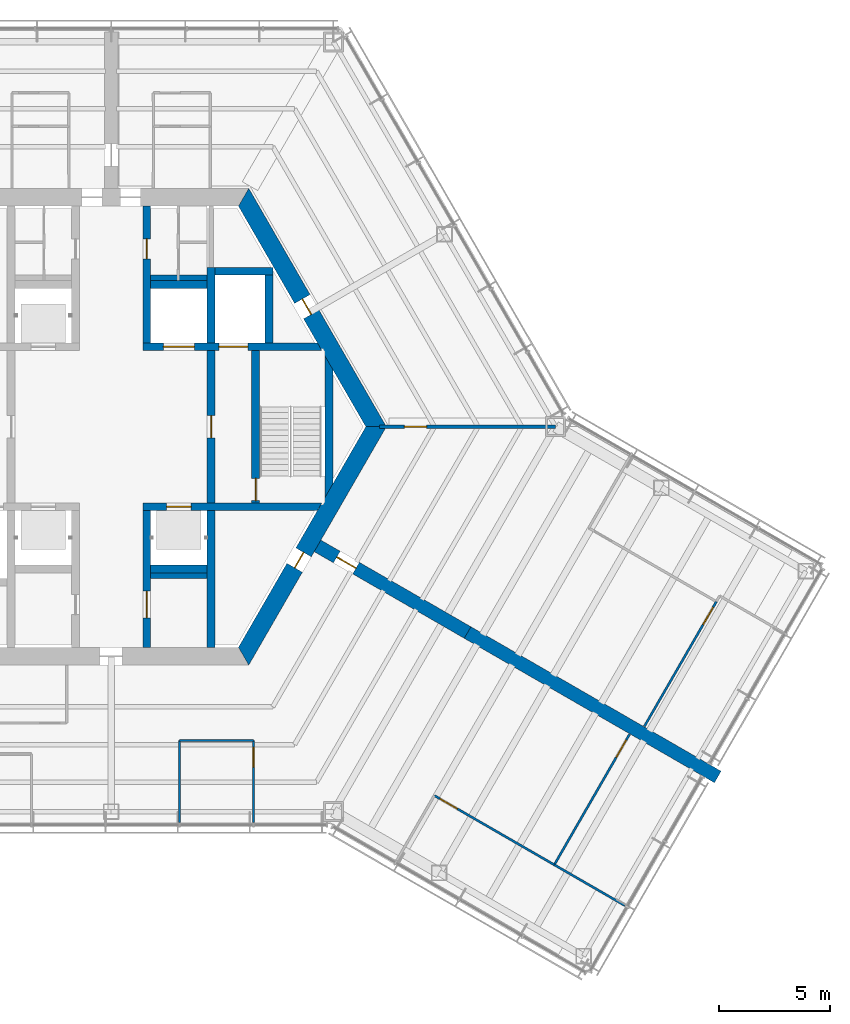
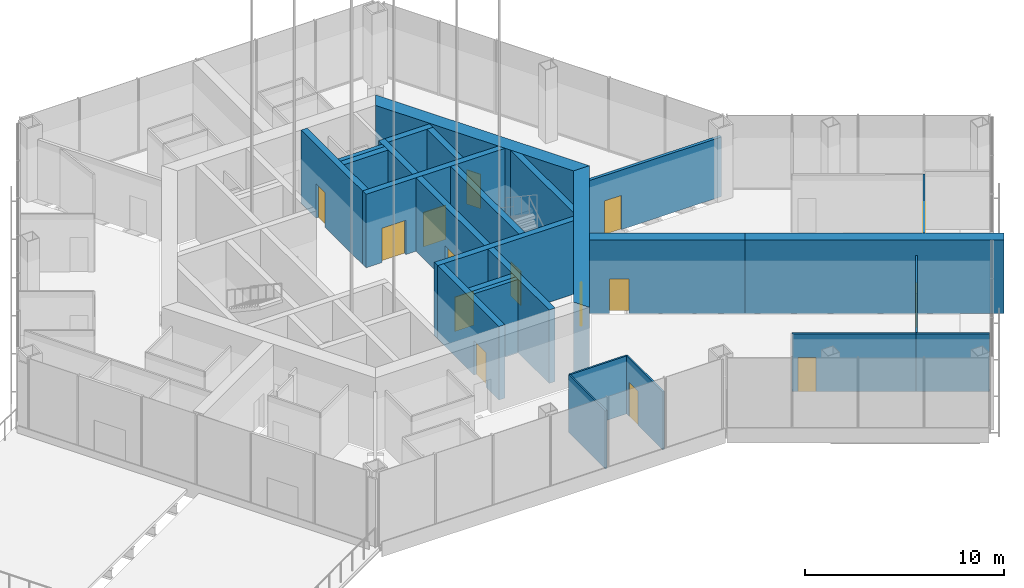
# One storey, part 10 of 17: 27 walls, 15 doors, 15 openings.
"""IFC4 building model written with IfcOpenShell, lengths in metres."""

from ifc_helpers import new_model, si_unit, direction, frame, frame_2d, origin, place, context, subcontext, project, spatial, polyline, rectangle, outline, extrude, material, layer, layer_set, type_object, element, fill, save


model = new_model("IFC4")

# Units and contexts
model_context = context("Model", 3, precision=1e-05, world=origin(), true_north=direction((0.0, 1.0)))
body_context = subcontext(model_context, "Body", "Model", "MODEL_VIEW")
ifc_project = project(units=[si_unit("LENGTHUNIT", "METRE"), si_unit("AREAUNIT", "SQUARE_METRE"), si_unit("VOLUMEUNIT", "CUBIC_METRE"), si_unit("PLANEANGLEUNIT", "RADIAN"), si_unit("MASSUNIT", "GRAM", prefix="KILO")], contexts=[model_context])

# Site, building, storey
site_placement = place(None, origin())
site = spatial("IfcSite", under=ifc_project, at=site_placement, CompositionType="ELEMENT")
building_placement = place(site_placement, origin())
building = spatial("IfcBuilding", under=site, at=building_placement, Name="Kasaneha Research Tower", CompositionType="ELEMENT")
storey_placement = place(building_placement, frame((0.0, 0.0, 208.300048828125)))
storey = spatial("IfcBuildingStorey", under=building, at=storey_placement, Name="L52", CompositionType="ELEMENT", Elevation=208.300048828125)

# Wall, openings, doors
ifc_material_1 = material(Name="Concrete Fc60", Category="concrete")
ifc_layer_1 = layer(ifc_material_1, 0.35009765625)
ifc_layer_set_1 = layer_set([ifc_layer_1], Name="Core internal wall 350 Fc60")
wall_type_1 = type_object("IfcWallType", Name="Core internal wall 350 Fc60", PredefinedType="SHEAR", material=ifc_layer_set_1)
wall_1_placement = place(storey_placement, frame((1.425048828125, 3.60009765625, 0.0), z_axis=(0.0, 0.0, 1.0), x_axis=(1.0, 0.0, 0.0)))
wall_1 = element("IfcWall", 1, at=wall_1_placement, inside=storey, type_object=wall_type_1, Name="Core wall W1E L52", PredefinedType="SHEAR", context=body_context, shape_type="SweptSolid", body=[
    extrude(outline(polyline([(0.0, -0.175048828125), (0.925048828125, -0.175048828125), (2.324951171875, -0.175048828125), (3.425048828125, -0.175048828125), (4.72509765625, -0.175048828125), (8.057861328125, -0.175048828125), (7.855712890625, 0.175048828125), (4.72509765625, 0.175048828125), (3.425048828125, 0.175048828125), (2.324951171875, 0.175048828125), (0.925048828125, 0.175048828125), (0.0, 0.175048828125), (0.0, -0.175048828125)])), origin(), (0.0, 0.0, 1.0), 4.5),
])
opening_1_placement = place(wall_1_placement, frame((0.925048828125, 0.0, 0.0)))
opening_1 = element("IfcOpeningElement", 2, at=opening_1_placement, cuts=wall_1, Name="Opening LD-SH1-L52", PredefinedType="OPENING", context=body_context, shape_type="SweptSolid", body=[
    extrude(rectangle(XDim=1.39990234375, YDim=2.10009765625, at=frame_2d((0.699951171875, 1.050048828125))), frame((0.0, 0.18505859375, 0.0), z_axis=(0.0, -1.0, 0.0), x_axis=(1.0, 0.0, 0.0)), (0.0, 0.0, 1.0), 0.3701171875),
])
opening_2_placement = place(wall_1_placement, frame((3.425048828125, 0.0, 0.0)))
opening_2 = element("IfcOpeningElement", 3, at=opening_2_placement, cuts=wall_1, Name="Opening LD-FL1-L52", PredefinedType="OPENING", context=body_context, shape_type="SweptSolid", body=[
    extrude(rectangle(XDim=1.300048828125, YDim=2.10009765625, at=frame_2d((0.64990234375, 1.050048828125))), frame((0.0, 0.18505859375, 0.0), z_axis=(0.0, -1.0, 0.0), x_axis=(1.0, 0.0, 0.0)), (0.0, 0.0, 1.0), 0.3701171875),
])
ifc_material_2 = material(Name="Steel", Category="steel")
door_type_1 = type_object("IfcDoorType", Name="Lift landing door 1300x2100", OperationType="DOUBLE_DOOR_SLIDING", PredefinedType="DOOR", material=ifc_material_2)
door_1_placement = place(opening_2_placement, origin())
door_1 = element("IfcDoor", 4, at=door_1_placement, inside=storey, type_object=door_type_1, Name="Landing door FL1 LD-FL1-L52", OperationType="DOUBLE_DOOR_SLIDING", OverallHeight=2.10009765625, OverallWidth=1.300048828125, PredefinedType="DOOR", context=body_context, shape_type="SweptSolid", body=[
    extrude(rectangle(XDim=1.300048828125, YDim=2.10009765625, at=frame_2d((0.64990234375, 1.050048828125))), frame((0.0, 0.02490234375, 0.0), z_axis=(0.0, -1.0, 0.0), x_axis=(1.0, 0.0, 0.0)), (0.0, 0.0, 1.0), 0.050048828125),
])
fill(opening_2, door_1)
ifc_material_3 = material(Name="Steel", Category="steel")
door_type_2 = type_object("IfcDoorType", Name="Lift landing door 1400x2100", OperationType="DOUBLE_DOOR_SLIDING", PredefinedType="DOOR", material=ifc_material_3)
door_2_placement = place(opening_1_placement, origin())
door_2 = element("IfcDoor", 5, at=door_2_placement, inside=storey, type_object=door_type_2, Name="Landing door SH1 LD-SH1-L52", OperationType="DOUBLE_DOOR_SLIDING", OverallHeight=2.10009765625, OverallWidth=1.39990234375, PredefinedType="DOOR", context=body_context, shape_type="SweptSolid", body=[
    extrude(rectangle(XDim=1.39990234375, YDim=2.10009765625, at=frame_2d((0.699951171875, 1.050048828125))), frame((0.0, 0.02490234375, 0.0), z_axis=(0.0, -1.0, 0.0), x_axis=(1.0, 0.0, 0.0)), (0.0, 0.0, 1.0), 0.050048828125),
])
fill(opening_1, door_2)

# Wall, opening, door
wall_2_placement = place(storey_placement, frame((1.425048828125, -3.60009765625, 0.0), z_axis=(0.0, 0.0, 1.0), x_axis=(1.0, 0.0, 0.0)))
wall_2 = element("IfcWall", 6, at=wall_2_placement, inside=storey, type_object=wall_type_1, Name="Core wall W2E L52", PredefinedType="SHEAR", context=body_context, shape_type="SweptSolid", body=[
    extrude(outline(polyline([(0.0, -0.175048828125), (1.074951171875, -0.175048828125), (2.175048828125, -0.175048828125), (7.855712890625, -0.175048828125), (8.057861328125, 0.175048828125), (2.175048828125, 0.175048828125), (1.074951171875, 0.175048828125), (0.0, 0.175048828125), (0.0, -0.175048828125)])), origin(), (0.0, 0.0, 1.0), 4.5),
])
opening_3_placement = place(wall_2_placement, frame((1.074951171875, 0.0, 0.0)))
opening_3 = element("IfcOpeningElement", 7, at=opening_3_placement, cuts=wall_2, Name="Opening LD-LH3-L52", PredefinedType="OPENING", context=body_context, shape_type="SweptSolid", body=[
    extrude(rectangle(XDim=1.10009765625, YDim=2.10009765625, at=frame_2d((0.550048828125, 1.050048828125))), frame((0.0, 0.18505859375, 0.0), z_axis=(0.0, -1.0, 0.0), x_axis=(1.0, 0.0, 0.0)), (0.0, 0.0, 1.0), 0.3701171875),
])
ifc_material_4 = material(Name="Steel", Category="steel")
door_type_3 = type_object("IfcDoorType", Name="Lift landing door 1100x2100", OperationType="DOUBLE_DOOR_SLIDING", PredefinedType="DOOR", material=ifc_material_4)
door_3_placement = place(opening_3_placement, origin())
door_3 = element("IfcDoor", 8, at=door_3_placement, inside=storey, type_object=door_type_3, Name="Landing door LH3 LD-LH3-L52", OperationType="DOUBLE_DOOR_SLIDING", OverallHeight=2.10009765625, OverallWidth=1.10009765625, PredefinedType="DOOR", context=body_context, shape_type="SweptSolid", body=[
    extrude(rectangle(XDim=1.10009765625, YDim=2.10009765625, at=frame_2d((0.550048828125, 1.050048828125))), frame((0.0, 0.02490234375, 0.0), z_axis=(0.0, -1.0, 0.0), x_axis=(1.0, 0.0, 0.0)), (0.0, 0.0, 1.0), 0.050048828125),
])
fill(opening_3, door_3)

wall_3_placement = place(storey_placement, frame((1.60009765625, 3.77490234375, 0.0), z_axis=(0.0, 0.0, 1.0), x_axis=(0.0, 1.0, 0.0)))
wall_3 = element("IfcWall", 9, at=wall_3_placement, inside=storey, type_object=wall_type_1, Name="Core wall CNE L52", PredefinedType="SHEAR", context=body_context, shape_type="SweptSolid", body=[
    extrude(rectangle(XDim=6.150146484375, YDim=0.35009765625, at=frame_2d((3.0751953125, 0.0))), origin(), (0.0, 0.0, 1.0), 4.5),
])
opening_4_placement = place(wall_3_placement, frame((3.77490234375, 0.0, 0.0)))
opening_4 = element("IfcOpeningElement", 10, at=opening_4_placement, cuts=wall_3, Name="Opening L52-D14", PredefinedType="OPENING", context=body_context, shape_type="SweptSolid", body=[
    extrude(rectangle(XDim=0.89990234375, YDim=2.10009765625, at=frame_2d((0.449951171875, 1.050048828125))), frame((0.0, 0.18505859375, 0.0), z_axis=(0.0, -1.0, 0.0), x_axis=(1.0, 0.0, 0.0)), (0.0, 0.0, 1.0), 0.3701171875),
])
ifc_material_5 = material(Name="Steel", Category="steel")
door_type_4 = type_object("IfcDoorType", Name="Toilet door FD20 900x2100", OperationType="NOTDEFINED", PredefinedType="DOOR", material=ifc_material_5)
door_4_placement = place(opening_4_placement, origin())
door_4 = element("IfcDoor", 11, at=door_4_placement, inside=storey, type_object=door_type_4, Name="Women's WC door L52-D14", OperationType="SINGLE_SWING_LEFT", OverallHeight=2.10009765625, OverallWidth=0.89990234375, PredefinedType="DOOR", context=body_context, shape_type="SweptSolid", body=[
    extrude(rectangle(XDim=0.89990234375, YDim=2.10009765625, at=frame_2d((0.449951171875, 1.050048828125))), frame((0.0, 0.02490234375, 0.0), z_axis=(0.0, -1.0, 0.0), x_axis=(1.0, 0.0, 0.0)), (0.0, 0.0, 1.0), 0.050048828125),
])
fill(opening_4, door_4)

wall_4_placement = place(storey_placement, frame((1.60009765625, -3.77490234375, 0.0), z_axis=(0.0, 0.0, 1.0), x_axis=(0.0, -1.0, 0.0)))
wall_4 = element("IfcWall", 12, at=wall_4_placement, inside=storey, type_object=wall_type_1, Name="Core wall CSE L52", PredefinedType="SHEAR", context=body_context, shape_type="SweptSolid", body=[
    extrude(rectangle(XDim=6.150146484375, YDim=0.35009765625, at=frame_2d((3.0751953125, 0.0))), origin(), (0.0, 0.0, 1.0), 4.5),
])
opening_5_placement = place(wall_4_placement, frame((3.625, 0.0, 0.0)))
opening_5 = element("IfcOpeningElement", 13, at=opening_5_placement, cuts=wall_4, Name="Opening L52-D15", PredefinedType="OPENING", context=body_context, shape_type="SweptSolid", body=[
    extrude(rectangle(XDim=1.199951171875, YDim=2.10009765625, at=frame_2d((0.60009765625, 1.050048828125))), frame((0.0, 0.18505859375, 0.0), z_axis=(0.0, -1.0, 0.0), x_axis=(1.0, 0.0, 0.0)), (0.0, 0.0, 1.0), 0.3701171875),
])
ifc_material_6 = material(Name="Steel", Category="steel")
door_type_5 = type_object("IfcDoorType", Name="Accessible toilet sliding door FD20 1200x2100", OperationType="SLIDING_TO_LEFT", PredefinedType="DOOR", material=ifc_material_6)
door_5_placement = place(opening_5_placement, origin())
door_5 = element("IfcDoor", 14, at=door_5_placement, inside=storey, type_object=door_type_5, Name="Accessible WC door L52-D15", OperationType="SLIDING_TO_LEFT", OverallHeight=2.10009765625, OverallWidth=1.199951171875, PredefinedType="DOOR", context=body_context, shape_type="SweptSolid", body=[
    extrude(rectangle(XDim=1.199951171875, YDim=2.10009765625, at=frame_2d((0.60009765625, 1.050048828125))), frame((0.0, 0.02490234375, 0.0), z_axis=(0.0, -1.0, 0.0), x_axis=(1.0, 0.0, 0.0)), (0.0, 0.0, 1.0), 0.050048828125),
])
fill(opening_5, door_5)

wall_5_placement = place(storey_placement, frame((4.5, -3.425048828125, 0.0), z_axis=(0.0, 0.0, 1.0), x_axis=(0.0, 1.0, 0.0)))
wall_5 = element("IfcWall", 15, at=wall_5_placement, inside=storey, type_object=wall_type_1, Name="Core wall LBE L52", PredefinedType="SHEAR", context=body_context, shape_type="SweptSolid", body=[
    extrude(rectangle(XDim=6.85009765625, YDim=0.35009765625, at=frame_2d((3.425048828125, 0.0))), origin(), (0.0, 0.0, 1.0), 4.5),
])
opening_6_placement = place(wall_5_placement, frame((2.925048828125, 0.0, 0.0)))
opening_6 = element("IfcOpeningElement", 16, at=opening_6_placement, cuts=wall_5, Name="Opening L52-D08", PredefinedType="OPENING", context=body_context, shape_type="SweptSolid", body=[
    extrude(rectangle(XDim=1.0, YDim=2.10009765625, at=frame_2d((0.5, 1.050048828125))), frame((0.0, 0.18505859375, 0.0), z_axis=(0.0, -1.0, 0.0), x_axis=(1.0, 0.0, 0.0)), (0.0, 0.0, 1.0), 0.3701171875),
])
ifc_material_7 = material(Name="Steel", Category="steel")
door_type_6 = type_object("IfcDoorType", Name="Specified fire door FD60 1000x2100", OperationType="NOTDEFINED", PredefinedType="DOOR", material=ifc_material_7)
door_6_placement = place(opening_6_placement, origin())
door_6 = element("IfcDoor", 17, at=door_6_placement, inside=storey, type_object=door_type_6, Name="Lift lobby door east L52-D08", OperationType="SINGLE_SWING_LEFT", OverallHeight=2.10009765625, OverallWidth=1.0, PredefinedType="DOOR", context=body_context, shape_type="SweptSolid", body=[
    extrude(rectangle(XDim=1.0, YDim=2.10009765625, at=frame_2d((0.5, 1.050048828125))), frame((0.0, 0.02490234375, 0.0), z_axis=(0.0, -1.0, 0.0), x_axis=(1.0, 0.0, 0.0)), (0.0, 0.0, 1.0), 0.050048828125),
])
fill(opening_6, door_6)

wall_6_placement = place(storey_placement, frame((6.5, -3.425048828125, 0.0), z_axis=(0.0, 0.0, 1.0), x_axis=(0.0, 1.0, 0.0)))
wall_6 = element("IfcWall", 18, at=wall_6_placement, inside=storey, type_object=wall_type_1, Name="Core wall ANE L52", PredefinedType="SHEAR", context=body_context, shape_type="SweptSolid", body=[
    extrude(rectangle(XDim=6.85009765625, YDim=0.35009765625, at=frame_2d((3.425048828125, 0.0))), origin(), (0.0, 0.0, 1.0), 4.5),
])
opening_7_placement = place(wall_6_placement, frame((0.10009765625, 0.0, 0.0)))
opening_7 = element("IfcOpeningElement", 19, at=opening_7_placement, cuts=wall_6, Name="Opening L52-D10", PredefinedType="OPENING", context=body_context, shape_type="SweptSolid", body=[
    extrude(rectangle(XDim=1.0, YDim=2.10009765625, at=frame_2d((0.5, 1.050048828125))), frame((0.0, 0.18505859375, 0.0), z_axis=(0.0, -1.0, 0.0), x_axis=(1.0, 0.0, 0.0)), (0.0, 0.0, 1.0), 0.3701171875),
])
door_7_placement = place(opening_7_placement, origin())
door_7 = element("IfcDoor", 20, at=door_7_placement, inside=storey, type_object=door_type_6, Name="Stair 1 door L52-D10", OperationType="SINGLE_SWING_LEFT", OverallHeight=2.10009765625, OverallWidth=1.0, PredefinedType="DOOR", context=body_context, shape_type="SweptSolid", body=[
    extrude(rectangle(XDim=1.0, YDim=2.10009765625, at=frame_2d((0.5, 1.050048828125))), frame((0.0, 0.02490234375, 0.0), z_axis=(0.0, -1.0, 0.0), x_axis=(1.0, 0.0, 0.0)), (0.0, 0.0, 1.0), 0.050048828125),
])
fill(opening_7, door_7)

# Walls
wall_7_placement = place(storey_placement, frame((4.5, 3.77490234375, 0.0), z_axis=(0.0, 0.0, 1.0), x_axis=(0.0, 1.0, 0.0)))
element("IfcWall", 21, at=wall_7_placement, inside=storey, type_object=wall_type_1, Name="Core wall FNE L52", PredefinedType="SHEAR", context=body_context, shape_type="SweptSolid", body=[
    extrude(rectangle(XDim=3.400146484375, YDim=0.35009765625, at=frame_2d((1.7001953125, 0.0))), origin(), (0.0, 0.0, 1.0), 4.5),
])
wall_8_placement = place(storey_placement, frame((4.5, -3.77490234375, 0.0), z_axis=(0.0, 0.0, 1.0), x_axis=(0.0, -1.0, 0.0)))
element("IfcWall", 22, at=wall_8_placement, inside=storey, type_object=wall_type_1, Name="Core wall SSE L52", PredefinedType="SHEAR", context=body_context, shape_type="SweptSolid", body=[
    extrude(rectangle(XDim=6.150146484375, YDim=0.35009765625, at=frame_2d((3.0751953125, 0.0))), origin(), (0.0, 0.0, 1.0), 4.5),
])
for number, where, z_axis, x_axis, name in (
    (23, (1.77490234375, 6.39990234375, 0.0), (0.0, 0.0, 1.0), (1.0, 0.0, 0.0), "Core wall N3N L52"),
    (24, (1.77490234375, -6.39990234375, 0.0), (0.0, 0.0, 1.0), (1.0, 0.0, 0.0), "Core wall S3S L52"),
):
    element("IfcWall", number, at=place(storey_placement, frame(where, z_axis=z_axis, x_axis=x_axis)), inside=storey, type_object=wall_type_1, Name=name, PredefinedType="SHEAR", context=body_context, shape_type="SweptSolid", body=[
        extrude(rectangle(XDim=2.550048828125, YDim=0.35009765625, at=frame_2d((1.27490234375, 0.0))), origin(), (0.0, 0.0, 1.0), 4.5),
    ])
wall_9_placement = place(storey_placement, frame((4.675048828125, 7.0, 0.0), z_axis=(0.0, 0.0, 1.0), x_axis=(1.0, 0.0, 0.0)))
element("IfcWall", 25, at=wall_9_placement, inside=storey, type_object=wall_type_1, Name="Core wall F1N L52", PredefinedType="SHEAR", context=body_context, shape_type="SweptSolid", body=[
    extrude(rectangle(XDim=2.599853515625, YDim=0.35009765625, at=frame_2d((1.2998046875, 0.0))), origin(), (0.0, 0.0, 1.0), 4.5),
])
wall_10_placement = place(storey_placement, frame((7.10009765625, 3.77490234375, 0.0), z_axis=(0.0, 0.0, 1.0), x_axis=(0.0, 1.0, 0.0)))
element("IfcWall", 26, at=wall_10_placement, inside=storey, type_object=wall_type_1, Name="Core wall F1E L52", PredefinedType="SHEAR", context=body_context, shape_type="SweptSolid", body=[
    extrude(rectangle(XDim=3.050048828125, YDim=0.35009765625, at=frame_2d((1.52490234375, 0.0))), origin(), (0.0, 0.0, 1.0), 4.5),
])
wall_11_placement = place(storey_placement, frame((9.807861328125, -2.8623046875, 0.0), z_axis=(0.0, 0.0, 1.0), x_axis=(0.0, 1.0, 0.0)))
element("IfcWall", 27, at=wall_11_placement, inside=storey, type_object=wall_type_1, Name="Core wall STE L52", PredefinedType="SHEAR", context=body_context, shape_type="SweptSolid", body=[
    extrude(outline(polyline([(0.30322265625, -0.175048828125), (5.42138671875, -0.175048828125), (6.02783203125, 0.175048828125), (-0.30322265625, 0.175048828125), (0.30322265625, -0.175048828125)])), origin(), (0.0, 0.0, 1.0), 4.5),
])

# Wall, opening, door
ifc_material_8 = material(Name="Concrete Fc60", Category="concrete")
ifc_layer_2 = layer(ifc_material_8, 0.800048828125)
ifc_layer_set_2 = layer_set([ifc_layer_2], Name="Core wall 800 Fc60")
wall_type_2 = type_object("IfcWallType", Name="Core wall 800 Fc60", PredefinedType="SHEAR", material=ifc_layer_set_2)
wall_12_placement = place(storey_placement, frame((11.92236328125, 0.0, 0.0), z_axis=(0.0, 0.0, 1.0), x_axis=(-0.500004296715, 0.866022923061, 0.0)))
wall_12 = element("IfcWall", 28, at=wall_12_placement, inside=storey, type_object=wall_type_2, Name="Core wall 030 L52", PredefinedType="SHEAR", context=body_context, shape_type="SweptSolid", body=[
    extrude(outline(polyline([(-0.23095703125, -0.39990234375), (5.83544921875, -0.39990234375), (6.635498046875, -0.39990234375), (12.1533203125, -0.39990234375), (11.69140625, 0.39990234375), (6.635498046875, 0.39990234375), (5.83544921875, 0.39990234375), (0.23095703125, 0.39990234375), (-0.23095703125, -0.39990234375)])), origin(), (0.0, 0.0, 1.0), 4.5),
])
opening_8_placement = place(wall_12_placement, frame((5.83544921875, 0.0, 0.0)))
opening_8 = element("IfcOpeningElement", 29, at=opening_8_placement, cuts=wall_12, Name="Opening L52-D04", PredefinedType="OPENING", context=body_context, shape_type="SweptSolid", body=[
    extrude(rectangle(XDim=0.800048828125, YDim=2.10009765625, at=frame_2d((0.39990234375, 1.050048828125))), frame((0.0, 0.41015625, 0.0), z_axis=(0.0, -1.0, 0.0), x_axis=(1.0, 0.0, 0.0)), (0.0, 0.0, 1.0), 0.820068359375),
])
ifc_material_9 = material(Name="Steel", Category="steel")
door_type_7 = type_object("IfcDoorType", Name="Riser access door FD60 800x2100", OperationType="NOTDEFINED", PredefinedType="DOOR", material=ifc_material_9)
door_8_placement = place(opening_8_placement, origin())
door_8 = element("IfcDoor", 30, at=door_8_placement, inside=storey, type_object=door_type_7, Name="Pipe riser door L52-D04", OperationType="SINGLE_SWING_RIGHT", OverallHeight=2.10009765625, OverallWidth=0.800048828125, PredefinedType="DOOR", context=body_context, shape_type="SweptSolid", body=[
    extrude(rectangle(XDim=0.800048828125, YDim=2.10009765625, at=frame_2d((0.39990234375, 1.050048828125))), frame((0.0, 0.02490234375, 0.0), z_axis=(0.0, -1.0, 0.0), x_axis=(1.0, 0.0, 0.0)), (0.0, 0.0, 1.0), 0.050048828125),
])
fill(opening_8, door_8)

wall_13_placement = place(storey_placement, frame((5.961181640625, -10.324951171875, 0.0), z_axis=(0.0, 0.0, 1.0), x_axis=(0.500004296715, 0.866022923061, 0.0)))
wall_13 = element("IfcWall", 31, at=wall_13_placement, inside=storey, type_object=wall_type_2, Name="Core wall 330 L52", PredefinedType="SHEAR", context=body_context, shape_type="SweptSolid", body=[
    extrude(outline(polyline([(-0.23095703125, -0.39990234375), (4.593994140625, -0.39990234375), (5.39404296875, -0.39990234375), (12.1533203125, -0.39990234375), (11.69140625, 0.39990234375), (5.39404296875, 0.39990234375), (4.593994140625, 0.39990234375), (0.23095703125, 0.39990234375), (-0.23095703125, -0.39990234375)])), origin(), (0.0, 0.0, 1.0), 4.5),
])
opening_9_placement = place(wall_13_placement, frame((4.593994140625, 0.0, 0.0)))
opening_9 = element("IfcOpeningElement", 32, at=opening_9_placement, cuts=wall_13, Name="Opening L52-D05", PredefinedType="OPENING", context=body_context, shape_type="SweptSolid", body=[
    extrude(rectangle(XDim=0.800048828125, YDim=2.10009765625, at=frame_2d((0.39990234375, 1.050048828125))), frame((0.0, 0.41015625, 0.0), z_axis=(0.0, -1.0, 0.0), x_axis=(1.0, 0.0, 0.0)), (0.0, 0.0, 1.0), 0.820068359375),
])
door_9_placement = place(opening_9_placement, origin())
door_9 = element("IfcDoor", 33, at=door_9_placement, inside=storey, type_object=door_type_7, Name="Pipe riser door L52-D05", OperationType="SINGLE_SWING_LEFT", OverallHeight=2.10009765625, OverallWidth=0.800048828125, PredefinedType="DOOR", context=body_context, shape_type="SweptSolid", body=[
    extrude(rectangle(XDim=0.800048828125, YDim=2.10009765625, at=frame_2d((0.39990234375, 1.050048828125))), frame((0.0, 0.02490234375, 0.0), z_axis=(0.0, -1.0, 0.0), x_axis=(1.0, 0.0, 0.0)), (0.0, 0.0, 1.0), 0.050048828125),
])
fill(opening_9, door_9)

ifc_material_10 = material(Name="Gypsum board on steel studs, one layer each side", Category="steel")
ifc_layer_3 = layer(ifc_material_10, 0.10009765625)
ifc_layer_set_3 = layer_set([ifc_layer_3], Name="Office partition 100")
wall_type_3 = type_object("IfcWallType", Name="Office partition 100", PredefinedType="PARTITIONING", material=ifc_layer_set_3)
wall_14_placement = place(storey_placement, frame((23.993408203125, -13.483154296875, 0.0), z_axis=(0.0, 0.0, 1.0), x_axis=(0.499998413156, 0.866026319947, 0.0)))
wall_14 = element("IfcWall", 34, at=wall_14_placement, inside=storey, type_object=wall_type_3, Name="Office partition FCE05 L52", PredefinedType="PARTITIONING", context=body_context, shape_type="SweptSolid", body=[
    extrude(rectangle(XDim=6.48388671875, YDim=0.10009765625, at=frame_2d((3.241943359375, 0.0))), origin(), (0.0, 0.0, 1.0), 3.550048828125),
])
opening_10_placement = place(wall_14_placement, frame((5.283935546875, 0.0, 0.0)))
opening_10 = element("IfcOpeningElement", 35, at=opening_10_placement, cuts=wall_14, Name="Opening L52-D39", PredefinedType="OPENING", context=body_context, shape_type="SweptSolid", body=[
    extrude(rectangle(XDim=0.89990234375, YDim=2.10009765625, at=frame_2d((0.449951171875, 1.050048828125))), frame((0.0, 0.06005859375, 0.0), z_axis=(0.0, -1.0, 0.0), x_axis=(1.0, 0.0, 0.0)), (0.0, 0.0, 1.0), 0.1201171875),
])
ifc_material_11 = material(Name="Timber veneer", Category="wood")
door_type_8 = type_object("IfcDoorType", Name="Office door 900x2100", OperationType="SINGLE_SWING_LEFT", PredefinedType="DOOR", material=ifc_material_11)
door_10_placement = place(opening_10_placement, origin())
door_10 = element("IfcDoor", 36, at=door_10_placement, inside=storey, type_object=door_type_8, Name="Meeting room door L52-D39", OperationType="SINGLE_SWING_RIGHT", OverallHeight=2.10009765625, OverallWidth=0.89990234375, PredefinedType="DOOR", context=body_context, shape_type="SweptSolid", body=[
    extrude(rectangle(XDim=0.89990234375, YDim=2.10009765625, at=frame_2d((0.449951171875, 1.050048828125))), frame((0.0, 0.02490234375, 0.0), z_axis=(0.0, -1.0, 0.0), x_axis=(1.0, 0.0, 0.0)), (0.0, 0.0, 1.0), 0.050048828125),
])
fill(opening_10, door_10)

# Walls
wall_15_placement = place(storey_placement, frame((3.077392578125, -17.800537109375, 0.0), z_axis=(0.0, 0.0, 1.0), x_axis=(0.0, 1.0, 0.0)))
element("IfcWall", 37, at=wall_15_placement, inside=storey, type_object=wall_type_3, Name="Office partition FCS01 L52", PredefinedType="PARTITIONING", context=body_context, shape_type="SweptSolid", body=[
    extrude(rectangle(XDim=3.679931640625, YDim=0.10009765625, at=frame_2d((1.83984375, 0.0))), origin(), (0.0, 0.0, 1.0), 3.550048828125),
])
wall_16_placement = place(storey_placement, frame((3.077392578125, -14.12060546875, 0.0), z_axis=(0.0, 0.0, 1.0), x_axis=(1.0, 0.0, 0.0)))
element("IfcWall", 38, at=wall_16_placement, inside=storey, type_object=wall_type_3, Name="Office partition FCS02 L52", PredefinedType="PARTITIONING", context=body_context, shape_type="SweptSolid", body=[
    extrude(rectangle(XDim=3.330810546875, YDim=0.10009765625, at=frame_2d((1.66552734375, 0.0))), origin(), (0.0, 0.0, 1.0), 3.550048828125),
])

# Wall, opening, door
wall_17_placement = place(storey_placement, frame((6.408203125, -14.12060546875, 0.0), z_axis=(0.0, 0.0, 1.0), x_axis=(0.0, -1.0, 0.0)))
wall_17 = element("IfcWall", 39, at=wall_17_placement, inside=storey, type_object=wall_type_3, Name="Office partition FCS03 L52", PredefinedType="PARTITIONING", context=body_context, shape_type="SweptSolid", body=[
    extrude(rectangle(XDim=3.679931640625, YDim=0.10009765625, at=frame_2d((1.83984375, 0.0))), origin(), (0.0, 0.0, 1.0), 3.550048828125),
])
opening_11_placement = place(wall_17_placement, frame((0.300048828125, 0.0, 0.0)))
opening_11 = element("IfcOpeningElement", 40, at=opening_11_placement, cuts=wall_17, Name="Opening L52-D40", PredefinedType="OPENING", context=body_context, shape_type="SweptSolid", body=[
    extrude(rectangle(XDim=0.89990234375, YDim=2.10009765625, at=frame_2d((0.449951171875, 1.050048828125))), frame((0.0, 0.06005859375, 0.0), z_axis=(0.0, -1.0, 0.0), x_axis=(1.0, 0.0, 0.0)), (0.0, 0.0, 1.0), 0.1201171875),
])
door_11_placement = place(opening_11_placement, origin())
door_11 = element("IfcDoor", 41, at=door_11_placement, inside=storey, type_object=door_type_8, Name="Meeting room door L52-D40", OperationType="SINGLE_SWING_LEFT", OverallHeight=2.10009765625, OverallWidth=0.89990234375, PredefinedType="DOOR", context=body_context, shape_type="SweptSolid", body=[
    extrude(rectangle(XDim=0.89990234375, YDim=2.10009765625, at=frame_2d((0.449951171875, 1.050048828125))), frame((0.0, 0.02490234375, 0.0), z_axis=(0.0, -1.0, 0.0), x_axis=(1.0, 0.0, 0.0)), (0.0, 0.0, 1.0), 0.050048828125),
])
fill(opening_11, door_11)

# Wall
wall_18_placement = place(storey_placement, frame((19.9326171875, -19.70654296875, 0.0), z_axis=(0.0, 0.0, 1.0), x_axis=(0.866006363297, -0.500032977642, 0.0)))
element("IfcWall", 42, at=wall_18_placement, inside=storey, type_object=wall_type_3, Name="Office partition FCS04 L52", PredefinedType="PARTITIONING", context=body_context, shape_type="SweptSolid", body=[
    extrude(rectangle(XDim=3.675048828125, YDim=0.10009765625, at=frame_2d((1.83740234375, 0.0))), origin(), (0.0, 0.0, 1.0), 3.550048828125),
])

# Wall, opening, door
wall_19_placement = place(storey_placement, frame((14.542236328125, -16.59423828125, 0.0), z_axis=(0.0, 0.0, 1.0), x_axis=(0.866024496556, -0.500001571362, 0.0)))
wall_19 = element("IfcWall", 43, at=wall_19_placement, inside=storey, type_object=wall_type_3, Name="Office partition FCS06 L52", PredefinedType="PARTITIONING", context=body_context, shape_type="SweptSolid", body=[
    extrude(rectangle(XDim=6.23388671875, YDim=0.10009765625, at=frame_2d((3.116943359375, 0.0))), origin(), (0.0, 0.0, 1.0), 3.550048828125),
])
opening_12_placement = place(wall_19_placement, frame((0.300048828125, 0.0, 0.0)))
opening_12 = element("IfcOpeningElement", 44, at=opening_12_placement, cuts=wall_19, Name="Opening L52-D41", PredefinedType="OPENING", context=body_context, shape_type="SweptSolid", body=[
    extrude(rectangle(XDim=0.89990234375, YDim=2.10009765625, at=frame_2d((0.449951171875, 1.050048828125))), frame((0.0, 0.06005859375, 0.0), z_axis=(0.0, -1.0, 0.0), x_axis=(1.0, 0.0, 0.0)), (0.0, 0.0, 1.0), 0.1201171875),
])
door_12_placement = place(opening_12_placement, origin())
door_12 = element("IfcDoor", 45, at=door_12_placement, inside=storey, type_object=door_type_8, Name="Project room door L52-D41", OperationType="SINGLE_SWING_LEFT", OverallHeight=2.10009765625, OverallWidth=0.89990234375, PredefinedType="DOOR", context=body_context, shape_type="SweptSolid", body=[
    extrude(rectangle(XDim=0.89990234375, YDim=2.10009765625, at=frame_2d((0.449951171875, 1.050048828125))), frame((0.0, 0.02490234375, 0.0), z_axis=(0.0, -1.0, 0.0), x_axis=(1.0, 0.0, 0.0)), (0.0, 0.0, 1.0), 0.050048828125),
])
fill(opening_12, door_12)

wall_20_placement = place(storey_placement, frame((19.94091796875, -19.711181640625, 0.0), z_axis=(0.0, 0.0, 1.0), x_axis=(0.499420036565, 0.866359987001, 0.0)))
wall_20 = element("IfcWall", 46, at=wall_20_placement, inside=storey, type_object=wall_type_3, Name="Office partition FCS07 L52", PredefinedType="PARTITIONING", context=body_context, shape_type="SweptSolid", body=[
    extrude(rectangle(XDim=6.77978515625, YDim=0.10009765625, at=frame_2d((3.389892578125, 0.0))), origin(), (0.0, 0.0, 1.0), 3.550048828125),
])
opening_13_placement = place(wall_20_placement, frame((5.579833984375, 0.0, 0.0)))
opening_13 = element("IfcOpeningElement", 47, at=opening_13_placement, cuts=wall_20, Name="Opening L52-D42", PredefinedType="OPENING", context=body_context, shape_type="SweptSolid", body=[
    extrude(rectangle(XDim=0.89990234375, YDim=2.10009765625, at=frame_2d((0.449951171875, 1.050048828125))), frame((0.0, 0.06005859375, 0.0), z_axis=(0.0, -1.0, 0.0), x_axis=(1.0, 0.0, 0.0)), (0.0, 0.0, 1.0), 0.1201171875),
])
door_13_placement = place(opening_13_placement, origin())
door_13 = element("IfcDoor", 48, at=door_13_placement, inside=storey, type_object=door_type_8, Name="Meeting room door L52-D42", OperationType="SINGLE_SWING_RIGHT", OverallHeight=2.10009765625, OverallWidth=0.89990234375, PredefinedType="DOOR", context=body_context, shape_type="SweptSolid", body=[
    extrude(rectangle(XDim=0.89990234375, YDim=2.10009765625, at=frame_2d((0.449951171875, 1.050048828125))), frame((0.0, 0.02490234375, 0.0), z_axis=(0.0, -1.0, 0.0), x_axis=(1.0, 0.0, 0.0)), (0.0, 0.0, 1.0), 0.050048828125),
])
fill(opening_13, door_13)

ifc_material_12 = material(Name="Concrete Fc60", Category="concrete")
ifc_layer_4 = layer(ifc_material_12, 0.60009765625)
ifc_layer_set_4 = layer_set([ifc_layer_4], Name="Spine wall 600 Fc60")
wall_type_4 = type_object("IfcWallType", Name="Spine wall 600 Fc60", PredefinedType="SHEAR", material=ifc_layer_set_4)
wall_21_placement = place(storey_placement, frame((9.2880859375, -5.362548828125, 0.0), z_axis=(0.0, 0.0, 1.0), x_axis=(0.866031736626, -0.499989031036, 0.0)))
wall_21 = element("IfcWall", 49, at=wall_21_placement, inside=storey, type_object=wall_type_4, Name="Spine wall C L52", PredefinedType="SHEAR", context=body_context, shape_type="SweptSolid", body=[
    extrude(rectangle(XDim=7.795654296875, YDim=0.60009765625, at=frame_2d((3.89794921875, 0.0))), origin(), (0.0, 0.0, 1.0), 4.5),
])
opening_14_placement = place(wall_21_placement, frame((1.0, 0.0, 0.0)))
opening_14 = element("IfcOpeningElement", 50, at=opening_14_placement, cuts=wall_21, Name="Opening L52-D19", PredefinedType="OPENING", context=body_context, shape_type="SweptSolid", body=[
    extrude(rectangle(XDim=1.0, YDim=2.10009765625, at=frame_2d((0.5, 1.050048828125))), frame((0.0, 0.31005859375, 0.0), z_axis=(0.0, -1.0, 0.0), x_axis=(1.0, 0.0, 0.0)), (0.0, 0.0, 1.0), 0.6201171875),
])
door_14_placement = place(opening_14_placement, origin())
door_14 = element("IfcDoor", 51, at=door_14_placement, inside=storey, type_object=door_type_6, Name="Spine doorway C L52-D19", OperationType="SINGLE_SWING_LEFT", OverallHeight=2.10009765625, OverallWidth=1.0, PredefinedType="DOOR", context=body_context, shape_type="SweptSolid", body=[
    extrude(rectangle(XDim=1.0, YDim=2.10009765625, at=frame_2d((0.5, 1.050048828125))), frame((0.0, 0.02490234375, 0.0), z_axis=(0.0, -1.0, 0.0), x_axis=(1.0, 0.0, 0.0)), (0.0, 0.0, 1.0), 0.050048828125),
])
fill(opening_14, door_14)

# Wall
wall_22_placement = place(storey_placement, frame((16.039306640625, -9.26025390625, 0.0), z_axis=(0.0, 0.0, 1.0), x_axis=(0.866024837091, -0.50000098154, 0.0)))
element("IfcWall", 52, at=wall_22_placement, inside=storey, type_object=wall_type_4, Name="Spine wall C wing L52", PredefinedType="SHEAR", context=body_context, shape_type="SweptSolid", body=[
    extrude(rectangle(XDim=13.0, YDim=0.60009765625, at=frame_2d((6.5, 0.0))), origin(), (0.0, 0.0, 1.0), 4.5),
])

# Wall, opening, door
ifc_material_13 = material(Name="Gypsum board on steel studs, two layers each side", Category="steel")
ifc_layer_5 = layer(ifc_material_13, 0.175048828125)
ifc_layer_set_5 = layer_set([ifc_layer_5], Name="Tenancy fire partition 175")
wall_type_5 = type_object("IfcWallType", Name="Tenancy fire partition 175", PredefinedType="PARTITIONING", material=ifc_layer_set_5)
wall_23_placement = place(storey_placement, frame((12.069580078125, 0.0, 0.0), z_axis=(0.0, 0.0, 1.0), x_axis=(1.0, 0.0, 0.0)))
wall_23 = element("IfcWall", 53, at=wall_23_placement, inside=storey, type_object=wall_type_5, Name="Tenancy fire partition T000 L52", PredefinedType="PARTITIONING", context=body_context, shape_type="SweptSolid", body=[
    extrude(rectangle(XDim=7.930419921875, YDim=0.175048828125, at=frame_2d((3.96533203125, 0.0))), origin(), (0.0, 0.0, 1.0), 3.64990234375),
])
opening_15_placement = place(wall_23_placement, frame((1.1298828125, 0.0, 0.0)))
opening_15 = element("IfcOpeningElement", 54, at=opening_15_placement, cuts=wall_23, Name="Opening L52-D24", PredefinedType="OPENING", context=body_context, shape_type="SweptSolid", body=[
    extrude(rectangle(XDim=1.0, YDim=2.10009765625, at=frame_2d((0.5, 1.050048828125))), frame((0.0, 0.09765625, 0.0), z_axis=(0.0, -1.0, 0.0), x_axis=(1.0, 0.0, 0.0)), (0.0, 0.0, 1.0), 0.195068359375),
])
ifc_material_14 = material(Name="Steel", Category="steel")
door_type_9 = type_object("IfcDoorType", Name="Suite entrance door FD60 1000x2100", OperationType="NOTDEFINED", PredefinedType="DOOR", material=ifc_material_14)
door_15_placement = place(opening_15_placement, origin())
door_15 = element("IfcDoor", 55, at=door_15_placement, inside=storey, type_object=door_type_9, Name="Connecting door L52-D24", OperationType="SINGLE_SWING_LEFT", OverallHeight=2.10009765625, OverallWidth=1.0, PredefinedType="DOOR", context=body_context, shape_type="SweptSolid", body=[
    extrude(rectangle(XDim=1.0, YDim=2.10009765625, at=frame_2d((0.5, 1.050048828125))), frame((0.0, 0.02490234375, 0.0), z_axis=(0.0, -1.0, 0.0), x_axis=(1.0, 0.0, 0.0)), (0.0, 0.0, 1.0), 0.050048828125),
])
fill(opening_15, door_15)

# Walls
ifc_material_15 = material(Name="Concrete block lining", Category="concrete")
ifc_layer_6 = layer(ifc_material_15, 0.25)
ifc_layer_set_6 = layer_set([ifc_layer_6], Name="WC plumbing wall 250")
wall_type_6 = type_object("IfcWallType", Name="WC plumbing wall 250", PredefinedType="PLUMBINGWALL", material=ifc_layer_set_6)
for number, where, z_axis, x_axis, name in (
    (56, (1.77490234375, 6.699951171875, 0.0), (0.0, 0.0, 1.0), (1.0, 0.0, 0.0), "WC plumbing wall F L52"),
    (57, (1.77490234375, -6.699951171875, 0.0), (0.0, 0.0, 1.0), (1.0, 0.0, 0.0), "WC plumbing wall A L52"),
):
    element("IfcWall", number, at=place(storey_placement, frame(where, z_axis=z_axis, x_axis=x_axis)), inside=storey, type_object=wall_type_6, Name=name, PredefinedType="PLUMBINGWALL", context=body_context, shape_type="SweptSolid", body=[
        extrude(rectangle(XDim=2.550048828125, YDim=0.25, at=frame_2d((1.27490234375, 0.0))), origin(), (0.0, 0.0, 1.0), 4.5),
    ])

save(model, "model.ifc")
